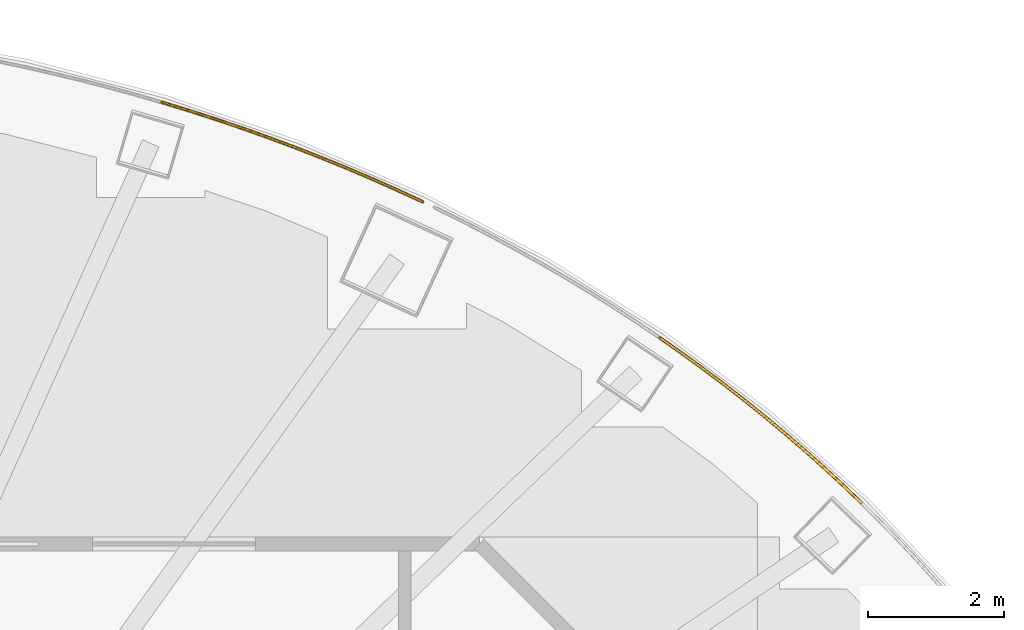
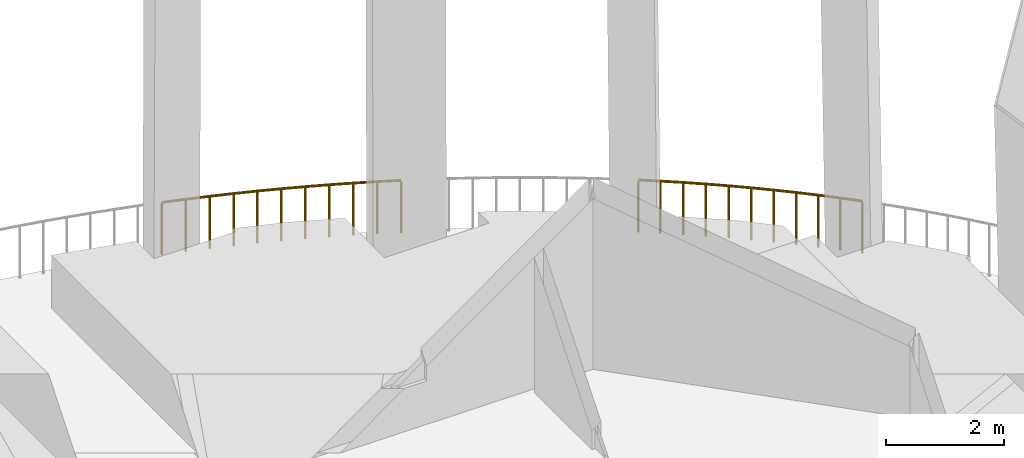
# One storey, part 14 of 15: 2 railings.
"""IFC4 building model written with IfcOpenShell, lengths in metres."""

import ifcopenshell
import ifcopenshell.guid

model = None  # the IFC model being written
_history = None  # IfcOwnerHistory: only IFC2X3 demands one
_inside = {}  # id of a spatial element -> (the spatial element, [elements in it])
_under = {}  # id of a project, library or spatial element -> (it, [spatial elements below it])
_declared = {}  # id of a project -> (the project, [libraries it declares])
_typed = {}  # id of a type object -> (the type object, [elements of that type])
_made_of = {}  # id of a material, layer set ... -> (it, [elements and type objects made of it])


def new_model(schema):
    """Start an empty IFC model of exactly this schema.

    Asked for "IFC4X3", IfcOpenShell would pick the latest addendum, in which some entities
    have other attributes; the version numbers below select the first issue.
    IFC2X3 requires an IfcOwnerHistory on every rooted entity: one is made here for all.
    """
    global model, _history
    if schema == "IFC4X3":
        model = ifcopenshell.file(schema_version=(4, 3, 0, 0))
    else:
        model = ifcopenshell.file(schema=schema)
    _inside.clear()
    _under.clear()
    _declared.clear()
    _typed.clear()
    _made_of.clear()
    _history = None
    if model.schema == "IFC2X3":
        org = make("IfcOrganization", Name="unknown")
        user = make(
            "IfcPersonAndOrganization",
            ThePerson=make("IfcPerson", FamilyName="unknown"),
            TheOrganization=org,
        )
        app = make(
            "IfcApplication",
            ApplicationDeveloper=org,
            Version="unknown",
            ApplicationFullName="unknown",
            ApplicationIdentifier="unknown",
        )
        _history = make(
            "IfcOwnerHistory",
            OwningUser=user,
            OwningApplication=app,
            ChangeAction="ADDED",
            CreationDate=0,
        )
    return model


def make(cls, **values):
    """One entity of the class cls with the attributes given. An attribute that is None is left unset."""
    return model.create_entity(
        cls, **{name: value for name, value in values.items() if value is not None}
    )


def rooted(cls, **values):
    """An entity with a GlobalId (a new one), such as an element, a storey or a relation."""
    return make(cls, GlobalId=ifcopenshell.guid.new(), OwnerHistory=_history, **values)


def si_unit(unit_type, name, prefix=None):
    """IfcSIUnit, for example si_unit("LENGTHUNIT", "METRE", prefix="MILLI")."""
    return make("IfcSIUnit", UnitType=unit_type, Prefix=prefix, Name=name)


def assignment(units):
    """IfcUnitAssignment: the units of a project."""
    return None if units is None else make("IfcUnitAssignment", Units=units)


def point(xyz):
    """IfcCartesianPoint."""
    return None if xyz is None else make("IfcCartesianPoint", Coordinates=xyz)


def direction(xyz):
    """IfcDirection."""
    return None if xyz is None else make("IfcDirection", DirectionRatios=xyz)


def frame(location, z_axis=None, x_axis=None):
    """IfcAxis2Placement3D, a coordinate frame: its origin and axes. An axis left out is left unset."""
    return make(
        "IfcAxis2Placement3D",
        Location=point(location),
        Axis=direction(z_axis),
        RefDirection=direction(x_axis),
    )


def frame_2d(location, x_axis=None):
    """IfcAxis2Placement2D, a coordinate frame in the plane: its origin and x axis."""
    return make(
        "IfcAxis2Placement2D", Location=point(location), RefDirection=direction(x_axis)
    )


def origin():
    """The frame at (0, 0, 0) with its axes left unset."""
    return frame((0.0, 0.0, 0.0))


def origin_2d():
    """The frame at (0, 0) in the plane with its x axis left unset."""
    return frame_2d((0.0, 0.0))


def place(relative_to, where):
    """IfcLocalPlacement: puts the frame where relative to a parent placement (None: the world)."""
    return make(
        "IfcLocalPlacement", PlacementRelTo=relative_to, RelativePlacement=where
    )


def context(
    kind, dimensions, precision=None, world=None, true_north=None, identifier=None
):
    """IfcGeometricRepresentationContext, for example the 3D "Model" context."""
    return make(
        "IfcGeometricRepresentationContext",
        ContextIdentifier=identifier,
        ContextType=kind,
        CoordinateSpaceDimension=dimensions,
        Precision=precision,
        WorldCoordinateSystem=world,
        TrueNorth=true_north,
    )


def subcontext(parent, identifier, kind, view, scale=None):
    """IfcGeometricRepresentationSubContext, for example "Body" below "Model"."""
    return make(
        "IfcGeometricRepresentationSubContext",
        ContextIdentifier=identifier,
        ContextType=kind,
        ParentContext=parent,
        TargetScale=scale,
        TargetView=view,
    )


def project(units=None, contexts=None):
    """IfcProject with its units and contexts."""
    return rooted(
        "IfcProject",
        Name="project",
        RepresentationContexts=contexts,
        UnitsInContext=assignment(units),
    )


def spatial(cls, under=None, at=None, **own):
    """A site, building, storey or space (cls), placed at a placement, below another one or the project."""
    s = rooted(cls, ObjectPlacement=at, **own)
    if under is not None:
        _under.setdefault(under.id(), (under, []))[1].append(s)
    return s


def profile(cls, at=None, kind="AREA", **sizes):
    """A parametric profile (cls). Its sizes go by their IFC names, for example OverallWidth=200.0."""
    return make(cls, ProfileType=kind, Position=at, **sizes)


def circle(**sizes):
    """IfcCircleProfileDef."""
    return profile("IfcCircleProfileDef", **sizes)


def extrude(swept, where, along, depth):
    """IfcExtrudedAreaSolid: the profile swept, set in the frame where, extruded along a direction by depth."""
    return make(
        "IfcExtrudedAreaSolid",
        SweptArea=swept,
        Position=where,
        ExtrudedDirection=direction(along),
        Depth=depth,
    )


def shape(context_of_items, identifier, shape_type, items):
    """IfcShapeRepresentation: the items that make up one representation, for example the "Body"."""
    return make(
        "IfcShapeRepresentation",
        ContextOfItems=context_of_items,
        RepresentationIdentifier=identifier,
        RepresentationType=shape_type,
        Items=items,
    )


def material(Name=None, Category=None):
    """IfcMaterial."""
    return make("IfcMaterial", Name=Name, Category=Category)


def made_of(thing, what):
    """Note that an element or type object is made of a material, layer set ...; save() writes the relation."""
    if what is not None:
        _made_of.setdefault(what.id(), (what, []))[1].append(thing)
    return thing


def type_object(cls, material=None, **own):
    """A type object (cls), such as IfcWallType, which elements share."""
    return made_of(rooted(cls, **own), material)


def element(
    cls,
    number,
    at=None,
    inside=None,
    cuts=None,
    type_object=None,
    material=None,
    context=None,
    identifier="Body",
    shape_type=None,
    held_by="IfcProductDefinitionShape",
    body=None,
    shapes=None,
    **own,
):
    """One element of the class cls, such as IfcWall. Its Tag is "e" and its number.

    at: its placement. inside: the storey or other place that contains it. cuts: it is an
    opening in that element (IfcRelVoidsElement). A single representation is given by context,
    identifier, shape_type and body (its items); several are given by shapes. held_by: the class
    of the entity that holds the representations. save() writes the other relations.
    """
    e = rooted(cls, Tag="e%d" % number, ObjectPlacement=at, **own)
    if body is not None:
        shapes = [shape(context, identifier, shape_type, body)]
    if shapes is not None:
        e.Representation = make(held_by, Representations=shapes)
    if inside is not None:
        _inside.setdefault(inside.id(), (inside, []))[1].append(e)
    if cuts is not None:
        rooted(
            "IfcRelVoidsElement", RelatingBuildingElement=cuts, RelatedOpeningElement=e
        )
    if type_object is not None:
        _typed.setdefault(type_object.id(), (type_object, []))[1].append(e)
    return made_of(e, material)


def aggregate(whole, parts):
    """IfcRelAggregates: a whole, such as a stair, and the parts it consists of."""
    return rooted("IfcRelAggregates", RelatingObject=whole, RelatedObjects=parts)


def save(model, path):
    """Write the relations noted so far, then the file.

    IfcRelAggregates (storeys below a building ...), IfcRelContainedInSpatialStructure (elements
    in a storey), IfcRelDefinesByType, IfcRelAssociatesMaterial and IfcRelDeclares: one each for
    every whole, place, type object, material and project.
    """
    for whole, parts in _under.values():
        aggregate(whole, parts)
    for where, things in _inside.values():
        rooted(
            "IfcRelContainedInSpatialStructure",
            RelatedElements=things,
            RelatingStructure=where,
        )
    for kind, things in _typed.values():
        rooted("IfcRelDefinesByType", RelatedObjects=things, RelatingType=kind)
    for what, things in _made_of.values():
        rooted("IfcRelAssociatesMaterial", RelatedObjects=things, RelatingMaterial=what)
    for by, libraries in _declared.values():
        rooted("IfcRelDeclares", RelatingContext=by, RelatedDefinitions=libraries)
    model.write(path)


model = new_model("IFC4")

# Units and contexts
model_context = context("Model", 3, precision=1e-05, world=origin(), true_north=direction((0.0, 1.0)))
body_context = subcontext(model_context, "Body", "Model", "MODEL_VIEW")
ifc_project = project(units=[si_unit("LENGTHUNIT", "METRE"), si_unit("AREAUNIT", "SQUARE_METRE"), si_unit("VOLUMEUNIT", "CUBIC_METRE"), si_unit("PLANEANGLEUNIT", "RADIAN"), si_unit("MASSUNIT", "GRAM", prefix="KILO")], contexts=[model_context])

# Site, building, storey
site_placement = place(None, origin())
site = spatial("IfcSite", under=ifc_project, at=site_placement, CompositionType="ELEMENT")
building_placement = place(site_placement, origin())
building = spatial("IfcBuilding", under=site, at=building_placement, Name="Siaravel Broadcast Tower", CompositionType="ELEMENT")
storey_placement = place(building_placement, frame((0.0, 0.0, 145.199951171875)))
storey = spatial("IfcBuildingStorey", under=building, at=storey_placement, Name="L35", CompositionType="ELEMENT", Elevation=145.199951171875)

# Railings
ifc_material = material(Name="Steel S355", Category="steel")
railing_type = type_object("IfcRailingType", Name="Guard 1100", PredefinedType="GUARDRAIL", material=ifc_material)
railing_1_placement = place(storey_placement, frame((18.639892578125, 12.797607421875, 0.080078125)))
element("IfcRailing", 1, at=railing_1_placement, inside=storey, type_object=railing_type, Name="L35 sky garden guard 05", PredefinedType="GUARDRAIL", context=body_context, shape_type="SweptSolid", body=[
    extrude(circle(Radius=0.02392578125, at=origin_2d()), frame((0.0, 0.0, 1.076171875), z_axis=(-0.721655507, 0.69225236, 0.0), x_axis=(-0.69225236, -0.721655507, 0.0)), (0.0, 0.0, 1.0), 0.3818359375),
    extrude(circle(Radius=0.02392578125, at=origin_2d()), frame((-0.275634765625, 0.264404296875, 1.076171875), z_axis=(-0.734583574, 0.678518219, 0.0), x_axis=(-0.678518219, -0.734583574, 0.0)), (0.0, 0.0, 1.0), 0.38330078125),
    extrude(circle(Radius=0.02392578125, at=origin_2d()), frame((-0.55712890625, 0.5244140625, 1.076171875), z_axis=(-0.745656101, 0.666330984, 0.0), x_axis=(-0.666330984, -0.745656101, 0.0)), (0.0, 0.0, 1.0), 0.384765625),
    extrude(circle(Radius=0.02392578125, at=origin_2d()), frame((-0.843994140625, 0.78076171875, 1.076171875), z_axis=(-0.75737759, 0.652977171, 0.0), x_axis=(-0.652977171, -0.75737759, 0.0)), (0.0, 0.0, 1.0), 0.3857421875),
    extrude(circle(Radius=0.02392578125, at=origin_2d()), frame((-1.13623046875, 1.03271484375, 1.076171875), z_axis=(-0.768737515, 0.639564408, 0.0), x_axis=(-0.639564408, -0.768737515, 0.0)), (0.0, 0.0, 1.0), 0.387451171875),
    extrude(circle(Radius=0.02392578125, at=origin_2d()), frame((-1.43408203125, 1.280517578125, 1.076171875), z_axis=(-0.779026654, 0.626990807, 0.0), x_axis=(-0.626990807, -0.779026654, 0.0)), (0.0, 0.0, 1.0), 0.388671875),
    extrude(circle(Radius=0.02392578125, at=origin_2d()), frame((-1.73681640625, 1.524169921875, 1.076171875), z_axis=(-0.78982378, 0.613333838, 0.0), x_axis=(-0.613333838, -0.78982378, 0.0)), (0.0, 0.0, 1.0), 0.39013671875),
    extrude(circle(Radius=0.02392578125, at=origin_2d()), frame((-2.044921875, 1.763427734375, 1.076171875), z_axis=(-0.800374142, 0.599500819, 0.0), x_axis=(-0.599500819, -0.800374142, 0.0)), (0.0, 0.0, 1.0), 0.391357421875),
    extrude(circle(Radius=0.02392578125, at=origin_2d()), frame((-2.358154296875, 1.998046875, 1.076171875), z_axis=(-0.809891172, 0.586580165, 0.0), x_axis=(-0.586580165, -0.809891172, 0.0)), (0.0, 0.0, 1.0), 0.392578125),
    extrude(circle(Radius=0.02392578125, at=origin_2d()), frame((-2.676025390625, 2.228271484375, 1.076171875), z_axis=(-0.819449012, 0.573152089, 0.0), x_axis=(-0.573152089, -0.819449012, 0.0)), (0.0, 0.0, 1.0), 0.36962890625),
    extrude(circle(Radius=0.02099609375, at=origin_2d()), origin(), (0.0, 0.0, 1.0), 1.052001953125),
    extrude(circle(Radius=0.02099609375, at=origin_2d()), frame((-0.275634765625, 0.264404296875, 0.0)), (0.0, 0.0, 1.0), 1.052001953125),
    extrude(circle(Radius=0.02099609375, at=origin_2d()), frame((-0.55712890625, 0.5244140625, 0.0)), (0.0, 0.0, 1.0), 1.052001953125),
    extrude(circle(Radius=0.02099609375, at=origin_2d()), frame((-0.843994140625, 0.78076171875, 0.0)), (0.0, 0.0, 1.0), 1.052001953125),
    extrude(circle(Radius=0.02099609375, at=origin_2d()), frame((-1.13623046875, 1.03271484375, 0.0)), (0.0, 0.0, 1.0), 1.052001953125),
    extrude(circle(Radius=0.02099609375, at=origin_2d()), frame((-1.43408203125, 1.280517578125, 0.0)), (0.0, 0.0, 1.0), 1.052001953125),
    extrude(circle(Radius=0.02099609375, at=origin_2d()), frame((-1.73681640625, 1.524169921875, 0.0)), (0.0, 0.0, 1.0), 1.052001953125),
    extrude(circle(Radius=0.02099609375, at=origin_2d()), frame((-2.044921875, 1.763427734375, 0.0)), (0.0, 0.0, 1.0), 1.052001953125),
    extrude(circle(Radius=0.02099609375, at=origin_2d()), frame((-2.358154296875, 1.998046875, 0.0)), (0.0, 0.0, 1.0), 1.052001953125),
    extrude(circle(Radius=0.02099609375, at=origin_2d()), frame((-2.676025390625, 2.228271484375, 0.0)), (0.0, 0.0, 1.0), 1.052001953125),
    extrude(circle(Radius=0.02099609375, at=origin_2d()), frame((-2.97900390625, 2.440185546875, 0.0)), (0.0, 0.0, 1.0), 1.052001953125),
])
railing_2_placement = place(storey_placement, frame((12.16650390625, 17.2421875, 0.080078125)))
element("IfcRailing", 2, at=railing_2_placement, inside=storey, type_object=railing_type, Name="L35 sky garden guard 07", PredefinedType="GUARDRAIL", context=body_context, shape_type="SweptSolid", body=[
    extrude(circle(Radius=0.02392578125, at=origin_2d()), frame((0.0, 0.0, 1.076171875), z_axis=(-0.90744998, 0.420160129, 0.0), x_axis=(-0.420160129, -0.90744998, 0.0)), (0.0, 0.0, 1.0), 0.4072265625),
    extrude(circle(Radius=0.02392578125, at=origin_2d()), frame((-0.36962890625, 0.171142578125, 1.076171875), z_axis=(-0.913934751, 0.405861148, 0.0), x_axis=(-0.405861148, -0.913934751, 0.0)), (0.0, 0.0, 1.0), 0.408447265625),
    extrude(circle(Radius=0.02392578125, at=origin_2d()), frame((-0.742919921875, 0.3369140625, 1.076171875), z_axis=(-0.920067764, 0.391759249, 0.0), x_axis=(-0.391759249, -0.920067764, 0.0)), (0.0, 0.0, 1.0), 0.409423828125),
    extrude(circle(Radius=0.02392578125, at=origin_2d()), frame((-1.11962890625, 0.497314453125, 1.076171875), z_axis=(-0.925953766, 0.377636893, 0.0), x_axis=(-0.377636893, -0.925953766, 0.0)), (0.0, 0.0, 1.0), 0.41064453125),
    extrude(circle(Radius=0.02392578125, at=origin_2d()), frame((-1.499755859375, 0.65234375, 1.076171875), z_axis=(-0.931513893, 0.363705743, 0.0), x_axis=(-0.363705743, -0.931513893, 0.0)), (0.0, 0.0, 1.0), 0.411376953125),
    extrude(circle(Radius=0.02392578125, at=origin_2d()), frame((-1.883056640625, 0.802001953125, 1.076171875), z_axis=(-0.937032744, 0.349241516, 0.0), x_axis=(-0.349241516, -0.937032744, 0.0)), (0.0, 0.0, 1.0), 0.412353515625),
    extrude(circle(Radius=0.02392578125, at=origin_2d()), frame((-2.26953125, 0.946044921875, 1.076171875), z_axis=(-0.942048858, 0.335475706, 0.0), x_axis=(-0.335475706, -0.942048858, 0.0)), (0.0, 0.0, 1.0), 0.413330078125),
    extrude(circle(Radius=0.02392578125, at=origin_2d()), frame((-2.658935546875, 1.084716796875, 1.076171875), z_axis=(-0.947020316, 0.321173661, 0.0), x_axis=(-0.321173661, -0.947020316, 0.0)), (0.0, 0.0, 1.0), 0.414306640625),
    extrude(circle(Radius=0.02392578125, at=origin_2d()), frame((-3.05126953125, 1.2177734375, 1.076171875), z_axis=(-0.951869286, 0.306504263, 0.0), x_axis=(-0.306504263, -0.951869286, 0.0)), (0.0, 0.0, 1.0), 0.4150390625),
    extrude(circle(Radius=0.02392578125, at=origin_2d()), frame((-3.4462890625, 1.344970703125, 1.076171875), z_axis=(-0.956196605, 0.292725218, 0.0), x_axis=(-0.292725218, -0.956196605, 0.0)), (0.0, 0.0, 1.0), 0.416259765625),
    extrude(circle(Radius=0.02099609375, at=origin_2d()), origin(), (0.0, 0.0, 1.0), 1.052001953125),
    extrude(circle(Radius=0.02099609375, at=origin_2d()), frame((-0.36962890625, 0.171142578125, 0.0)), (0.0, 0.0, 1.0), 1.052001953125),
    extrude(circle(Radius=0.02099609375, at=origin_2d()), frame((-0.742919921875, 0.3369140625, 0.0)), (0.0, 0.0, 1.0), 1.052001953125),
    extrude(circle(Radius=0.02099609375, at=origin_2d()), frame((-1.11962890625, 0.497314453125, 0.0)), (0.0, 0.0, 1.0), 1.052001953125),
    extrude(circle(Radius=0.02099609375, at=origin_2d()), frame((-1.499755859375, 0.65234375, 0.0)), (0.0, 0.0, 1.0), 1.052001953125),
    extrude(circle(Radius=0.02099609375, at=origin_2d()), frame((-1.883056640625, 0.802001953125, 0.0)), (0.0, 0.0, 1.0), 1.052001953125),
    extrude(circle(Radius=0.02099609375, at=origin_2d()), frame((-2.26953125, 0.946044921875, 0.0)), (0.0, 0.0, 1.0), 1.052001953125),
    extrude(circle(Radius=0.02099609375, at=origin_2d()), frame((-2.658935546875, 1.084716796875, 0.0)), (0.0, 0.0, 1.0), 1.052001953125),
    extrude(circle(Radius=0.02099609375, at=origin_2d()), frame((-3.05126953125, 1.2177734375, 0.0)), (0.0, 0.0, 1.0), 1.052001953125),
    extrude(circle(Radius=0.02099609375, at=origin_2d()), frame((-3.4462890625, 1.344970703125, 0.0)), (0.0, 0.0, 1.0), 1.052001953125),
    extrude(circle(Radius=0.02099609375, at=origin_2d()), frame((-3.84423828125, 1.466796875, 0.0)), (0.0, 0.0, 1.0), 1.052001953125),
])

save(model, "model.ifc")
